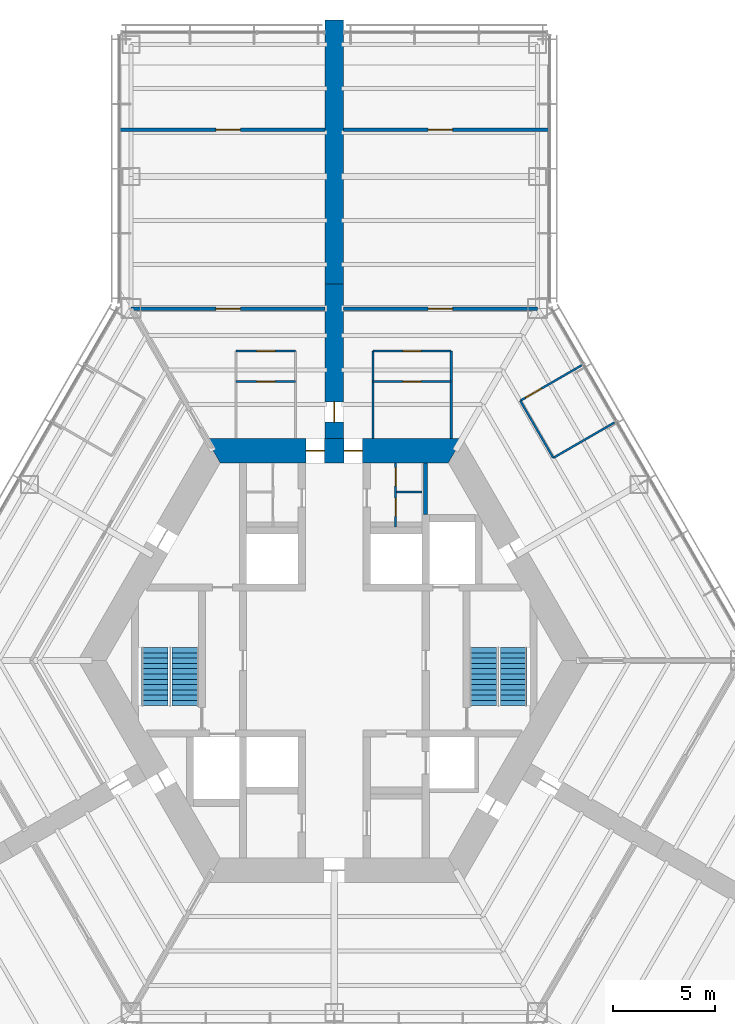
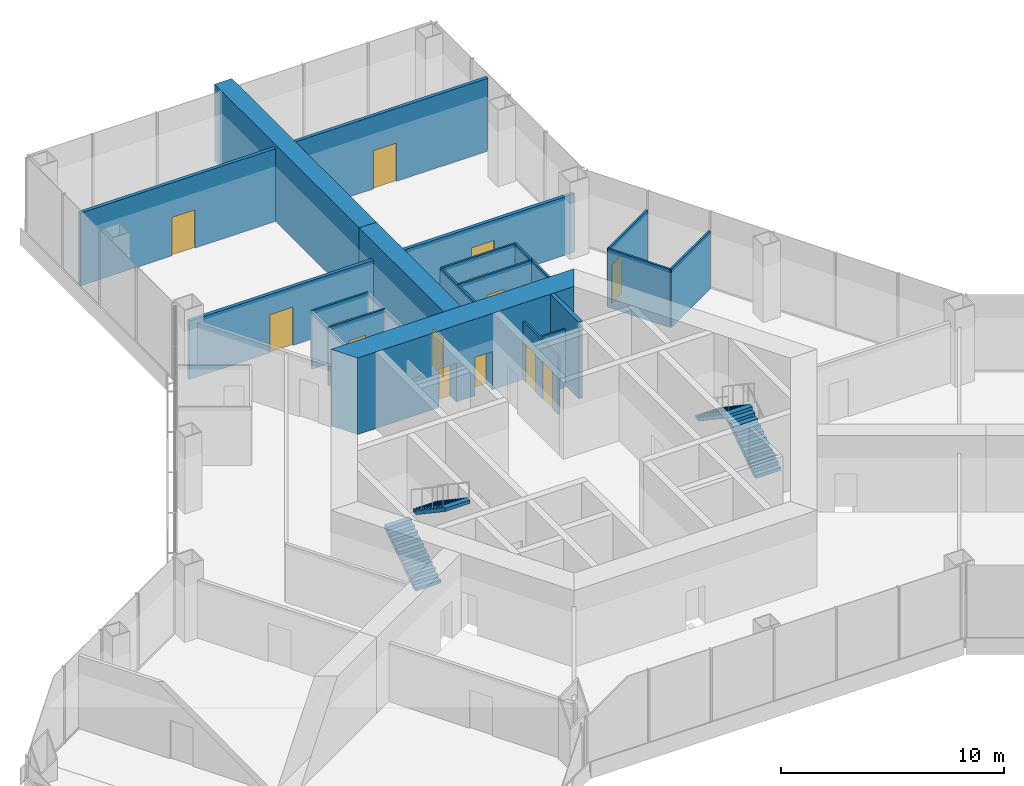
# One storey, part 13 of 16: 19 walls, 14 doors, 4 stair flights, 14 openings, 2 elements without a shape of their own.
"""IFC4 building model written with IfcOpenShell, lengths in metres."""

from ifc_helpers import new_model, si_unit, direction, frame, frame_2d, origin, place, context, subcontext, project, spatial, polyline, rectangle, outline, extrude, material, layer, layer_set, type_object, element, fill, aggregate, save


model = new_model("IFC4")

# Units and contexts
model_context = context("Model", 3, precision=1e-05, world=origin(), true_north=direction((0.0, 1.0)))
body_context = subcontext(model_context, "Body", "Model", "MODEL_VIEW")
ifc_project = project(units=[si_unit("LENGTHUNIT", "METRE"), si_unit("AREAUNIT", "SQUARE_METRE"), si_unit("VOLUMEUNIT", "CUBIC_METRE"), si_unit("PLANEANGLEUNIT", "RADIAN"), si_unit("MASSUNIT", "GRAM", prefix="KILO")], contexts=[model_context])

# Site, building, storey
site_placement = place(None, origin())
site = spatial("IfcSite", under=ifc_project, at=site_placement, CompositionType="ELEMENT")
building_placement = place(site_placement, origin())
building = spatial("IfcBuilding", under=site, at=building_placement, Name="Kasaneha Research Tower", CompositionType="ELEMENT")
storey_placement = place(building_placement, frame((0.0, 0.0, 10.0)))
storey = spatial("IfcBuildingStorey", under=building, at=storey_placement, Name="L03", CompositionType="ELEMENT", Elevation=10.0)

# Wall, openings, doors
ifc_material_1 = material(Name="Concrete Fc100", Category="concrete")
ifc_layer_1 = layer(ifc_material_1, 1.199951171875)
ifc_layer_set_1 = layer_set([ifc_layer_1], Name="Core wall 1200 Fc100")
wall_type_1 = type_object("IfcWallType", Name="Core wall 1200 Fc100", PredefinedType="SHEAR", material=ifc_layer_set_1)
wall_1_placement = place(storey_placement, frame((5.961181640625, 10.324951171875, 0.0), z_axis=(0.0, 0.0, 1.0), x_axis=(-1.0, 0.0, 0.0)))
wall_1 = element("IfcWall", 1, at=wall_1_placement, inside=storey, type_object=wall_type_1, Name="Core wall 090 L03", PredefinedType="SHEAR", context=body_context, shape_type="SweptSolid", body=[
    extrude(outline(polyline([(-0.346435546875, -0.60009765625), (4.57373046875, -0.60009765625), (5.4736328125, -0.60009765625), (6.44873046875, -0.60009765625), (7.3486328125, -0.60009765625), (12.268798828125, -0.60009765625), (11.575927734375, 0.60009765625), (7.3486328125, 0.60009765625), (6.44873046875, 0.60009765625), (5.4736328125, 0.60009765625), (4.57373046875, 0.60009765625), (0.346435546875, 0.60009765625), (-0.346435546875, -0.60009765625)])), origin(), (0.0, 0.0, 1.0), 4.199951171875),
])
opening_1_placement = place(wall_1_placement, frame((6.44873046875, 0.0, 0.0)))
opening_1 = element("IfcOpeningElement", 2, at=opening_1_placement, cuts=wall_1, Name="Opening L03-D01", PredefinedType="OPENING", context=body_context, shape_type="SweptSolid", body=[
    extrude(rectangle(XDim=0.89990234375, YDim=2.10009765625, at=frame_2d((0.449951171875, 1.050048828125))), frame((0.0, 0.60986328125, 0.0), z_axis=(0.0, -1.0, 0.0), x_axis=(1.0, 0.0, 0.0)), (0.0, 0.0, 1.0), 1.219970703125),
])
opening_2_placement = place(wall_1_placement, frame((4.57373046875, 0.0, 0.0)))
opening_2 = element("IfcOpeningElement", 3, at=opening_2_placement, cuts=wall_1, Name="Opening L03-D02", PredefinedType="OPENING", context=body_context, shape_type="SweptSolid", body=[
    extrude(rectangle(XDim=0.89990234375, YDim=2.10009765625, at=frame_2d((0.449951171875, 1.050048828125))), frame((0.0, 0.60986328125, 0.0), z_axis=(0.0, -1.0, 0.0), x_axis=(1.0, 0.0, 0.0)), (0.0, 0.0, 1.0), 1.219970703125),
])
ifc_material_2 = material(Name="Steel", Category="steel")
door_type_1 = type_object("IfcDoorType", Name="Toilet door FD20 900x2100", OperationType="NOTDEFINED", PredefinedType="DOOR", material=ifc_material_2)
door_1_placement = place(opening_1_placement, origin())
door_1 = element("IfcDoor", 4, at=door_1_placement, inside=storey, type_object=door_type_1, Name="Core door north 1 L03-D01", OperationType="SINGLE_SWING_RIGHT", OverallHeight=2.10009765625, OverallWidth=0.89990234375, PredefinedType="DOOR", context=body_context, shape_type="SweptSolid", body=[
    extrude(rectangle(XDim=0.89990234375, YDim=2.10009765625, at=frame_2d((0.449951171875, 1.050048828125))), frame((0.0, 0.02490234375, 0.0), z_axis=(0.0, -1.0, 0.0), x_axis=(1.0, 0.0, 0.0)), (0.0, 0.0, 1.0), 0.050048828125),
])
fill(opening_1, door_1)
door_2_placement = place(opening_2_placement, origin())
door_2 = element("IfcDoor", 5, at=door_2_placement, inside=storey, type_object=door_type_1, Name="Core door north 2 L03-D02", OperationType="SINGLE_SWING_LEFT", OverallHeight=2.10009765625, OverallWidth=0.89990234375, PredefinedType="DOOR", context=body_context, shape_type="SweptSolid", body=[
    extrude(rectangle(XDim=0.89990234375, YDim=2.10009765625, at=frame_2d((0.449951171875, 1.050048828125))), frame((0.0, 0.02490234375, 0.0), z_axis=(0.0, -1.0, 0.0), x_axis=(1.0, 0.0, 0.0)), (0.0, 0.0, 1.0), 0.050048828125),
])
fill(opening_2, door_2)

# Wall, opening, door
ifc_material_3 = material(Name="Gypsum board on steel studs, two layers each side", Category="steel")
ifc_layer_2 = layer(ifc_material_3, 0.175048828125)
ifc_layer_set_2 = layer_set([ifc_layer_2], Name="Laboratory fire partition 175")
wall_type_2 = type_object("IfcWallType", Name="Laboratory fire partition 175", PredefinedType="PARTITIONING", material=ifc_layer_set_2)
wall_2_placement = place(storey_placement, frame((0.449951171875, 17.320556640625, 0.0), z_axis=(0.0, 0.0, 1.0), x_axis=(1.0, 0.0, 0.0)))
wall_2 = element("IfcWall", 6, at=wall_2_placement, inside=storey, type_object=wall_type_2, Name="Laboratory fire partition LABA-E L03", PredefinedType="PARTITIONING", context=body_context, shape_type="SweptSolid", body=[
    extrude(rectangle(XDim=9.550048828125, YDim=0.175048828125, at=frame_2d((4.77490234375, 0.0))), origin(), (0.0, 0.0, 1.0), 3.2080078125),
])
opening_3_placement = place(wall_2_placement, frame((4.175048828125, 0.0, 0.0)))
opening_3 = element("IfcOpeningElement", 7, at=opening_3_placement, cuts=wall_2, Name="Opening L03-D29", PredefinedType="OPENING", context=body_context, shape_type="SweptSolid", body=[
    extrude(rectangle(XDim=1.199951171875, YDim=2.10009765625, at=frame_2d((0.60009765625, 1.050048828125))), frame((0.0, 0.09765625, 0.0), z_axis=(0.0, -1.0, 0.0), x_axis=(1.0, 0.0, 0.0)), (0.0, 0.0, 1.0), 0.195068359375),
])
ifc_material_4 = material(Name="Steel", Category="steel")
door_type_2 = type_object("IfcDoorType", Name="Laboratory door FD60 1200x2100", OperationType="DOUBLE_DOOR_SINGLE_SWING", PredefinedType="DOOR", material=ifc_material_4)
door_3_placement = place(opening_3_placement, origin())
door_3 = element("IfcDoor", 8, at=door_3_placement, inside=storey, type_object=door_type_2, Name="Laboratory door L03-D29", OperationType="DOUBLE_DOOR_SINGLE_SWING", OverallHeight=2.10009765625, OverallWidth=1.199951171875, PredefinedType="DOOR", context=body_context, shape_type="SweptSolid", body=[
    extrude(rectangle(XDim=1.199951171875, YDim=2.10009765625, at=frame_2d((0.60009765625, 1.050048828125))), frame((0.0, 0.02490234375, 0.0), z_axis=(0.0, -1.0, 0.0), x_axis=(1.0, 0.0, 0.0)), (0.0, 0.0, 1.0), 0.050048828125),
])
fill(opening_3, door_3)

wall_3_placement = place(storey_placement, frame((0.449951171875, 26.12060546875, 0.0), z_axis=(0.0, 0.0, 1.0), x_axis=(1.0, 0.0, 0.0)))
wall_3 = element("IfcWall", 9, at=wall_3_placement, inside=storey, type_object=wall_type_2, Name="Laboratory fire partition SUPA-E L03", PredefinedType="PARTITIONING", context=body_context, shape_type="SweptSolid", body=[
    extrude(rectangle(XDim=10.135009765625, YDim=0.175048828125, at=frame_2d((5.0673828125, 0.0))), origin(), (0.0, 0.0, 1.0), 4.0),
])
opening_4_placement = place(wall_3_placement, frame((4.175048828125, 0.0, 0.0)))
opening_4 = element("IfcOpeningElement", 10, at=opening_4_placement, cuts=wall_3, Name="Opening L03-D31", PredefinedType="OPENING", context=body_context, shape_type="SweptSolid", body=[
    extrude(rectangle(XDim=1.199951171875, YDim=2.10009765625, at=frame_2d((0.60009765625, 1.050048828125))), frame((0.0, 0.09765625, 0.0), z_axis=(0.0, -1.0, 0.0), x_axis=(1.0, 0.0, 0.0)), (0.0, 0.0, 1.0), 0.195068359375),
])
door_4_placement = place(opening_4_placement, origin())
door_4 = element("IfcDoor", 11, at=door_4_placement, inside=storey, type_object=door_type_2, Name="Laboratory support room door L03-D31", OperationType="DOUBLE_DOOR_SINGLE_SWING", OverallHeight=2.10009765625, OverallWidth=1.199951171875, PredefinedType="DOOR", context=body_context, shape_type="SweptSolid", body=[
    extrude(rectangle(XDim=1.199951171875, YDim=2.10009765625, at=frame_2d((0.60009765625, 1.050048828125))), frame((0.0, 0.02490234375, 0.0), z_axis=(0.0, -1.0, 0.0), x_axis=(1.0, 0.0, 0.0)), (0.0, 0.0, 1.0), 0.050048828125),
])
fill(opening_4, door_4)

wall_4_placement = place(storey_placement, frame((-0.449951171875, 17.320556640625, 0.0), z_axis=(0.0, 0.0, 1.0), x_axis=(-1.0, 0.0, 0.0)))
wall_4 = element("IfcWall", 12, at=wall_4_placement, inside=storey, type_object=wall_type_2, Name="Laboratory fire partition LABA-W L03", PredefinedType="PARTITIONING", context=body_context, shape_type="SweptSolid", body=[
    extrude(rectangle(XDim=9.550048828125, YDim=0.175048828125, at=frame_2d((4.77490234375, 0.0))), origin(), (0.0, 0.0, 1.0), 3.2080078125),
])
opening_5_placement = place(wall_4_placement, frame((4.175048828125, 0.0, 0.0)))
opening_5 = element("IfcOpeningElement", 13, at=opening_5_placement, cuts=wall_4, Name="Opening L03-D34", PredefinedType="OPENING", context=body_context, shape_type="SweptSolid", body=[
    extrude(rectangle(XDim=1.199951171875, YDim=2.10009765625, at=frame_2d((0.60009765625, 1.050048828125))), frame((0.0, 0.09765625, 0.0), z_axis=(0.0, -1.0, 0.0), x_axis=(1.0, 0.0, 0.0)), (0.0, 0.0, 1.0), 0.195068359375),
])
door_5_placement = place(opening_5_placement, origin())
door_5 = element("IfcDoor", 14, at=door_5_placement, inside=storey, type_object=door_type_2, Name="Laboratory door L03-D34", OperationType="DOUBLE_DOOR_SINGLE_SWING", OverallHeight=2.10009765625, OverallWidth=1.199951171875, PredefinedType="DOOR", context=body_context, shape_type="SweptSolid", body=[
    extrude(rectangle(XDim=1.199951171875, YDim=2.10009765625, at=frame_2d((0.60009765625, 1.050048828125))), frame((0.0, 0.02490234375, 0.0), z_axis=(0.0, -1.0, 0.0), x_axis=(1.0, 0.0, 0.0)), (0.0, 0.0, 1.0), 0.050048828125),
])
fill(opening_5, door_5)

wall_5_placement = place(storey_placement, frame((-0.449951171875, 26.12060546875, 0.0), z_axis=(0.0, 0.0, 1.0), x_axis=(-1.0, 0.0, 0.0)))
wall_5 = element("IfcWall", 15, at=wall_5_placement, inside=storey, type_object=wall_type_2, Name="Laboratory fire partition SUPA-W L03", PredefinedType="PARTITIONING", context=body_context, shape_type="SweptSolid", body=[
    extrude(rectangle(XDim=10.135009765625, YDim=0.175048828125, at=frame_2d((5.0673828125, 0.0))), origin(), (0.0, 0.0, 1.0), 4.0),
])
opening_6_placement = place(wall_5_placement, frame((4.175048828125, 0.0, 0.0)))
opening_6 = element("IfcOpeningElement", 16, at=opening_6_placement, cuts=wall_5, Name="Opening L03-D35", PredefinedType="OPENING", context=body_context, shape_type="SweptSolid", body=[
    extrude(rectangle(XDim=1.199951171875, YDim=2.10009765625, at=frame_2d((0.60009765625, 1.050048828125))), frame((0.0, 0.09765625, 0.0), z_axis=(0.0, -1.0, 0.0), x_axis=(1.0, 0.0, 0.0)), (0.0, 0.0, 1.0), 0.195068359375),
])
door_6_placement = place(opening_6_placement, origin())
door_6 = element("IfcDoor", 17, at=door_6_placement, inside=storey, type_object=door_type_2, Name="Laboratory support room door L03-D35", OperationType="DOUBLE_DOOR_SINGLE_SWING", OverallHeight=2.10009765625, OverallWidth=1.199951171875, PredefinedType="DOOR", context=body_context, shape_type="SweptSolid", body=[
    extrude(rectangle(XDim=1.199951171875, YDim=2.10009765625, at=frame_2d((0.60009765625, 1.050048828125))), frame((0.0, 0.02490234375, 0.0), z_axis=(0.0, -1.0, 0.0), x_axis=(1.0, 0.0, 0.0)), (0.0, 0.0, 1.0), 0.050048828125),
])
fill(opening_6, door_6)

# Wall, openings, doors
ifc_material_5 = material(Name="Gypsum board on steel studs, one layer each side", Category="steel")
ifc_layer_3 = layer(ifc_material_5, 0.10009765625)
ifc_layer_set_3 = layer_set([ifc_layer_3], Name="Office partition 100")
wall_type_3 = type_object("IfcWallType", Name="Office partition 100", PredefinedType="PARTITIONING", material=ifc_layer_set_3)
wall_6_placement = place(storey_placement, frame((3.02490234375, 6.574951171875, 0.0), z_axis=(0.0, 0.0, 1.0), x_axis=(0.0, 1.0, 0.0)))
wall_6 = element("IfcWall", 18, at=wall_6_placement, inside=storey, type_object=wall_type_3, Name="Office partition TBF1 L03", PredefinedType="PARTITIONING", context=body_context, shape_type="SweptSolid", body=[
    extrude(rectangle(XDim=3.150146484375, YDim=0.10009765625, at=frame_2d((1.5751953125, 0.0))), origin(), (0.0, 0.0, 1.0), 3.199951171875),
])
opening_7_placement = place(wall_6_placement, frame((0.512451171875, 0.0, 0.0)))
opening_7 = element("IfcOpeningElement", 19, at=opening_7_placement, cuts=wall_6, Name="Opening L03-D22", PredefinedType="OPENING", context=body_context, shape_type="SweptSolid", body=[
    extrude(rectangle(XDim=0.89990234375, YDim=2.10009765625, at=frame_2d((0.449951171875, 1.050048828125))), frame((0.0, 0.06005859375, 0.0), z_axis=(0.0, -1.0, 0.0), x_axis=(1.0, 0.0, 0.0)), (0.0, 0.0, 1.0), 0.1201171875),
])
opening_8_placement = place(wall_6_placement, frame((2.012451171875, 0.0, 0.0)))
opening_8 = element("IfcOpeningElement", 20, at=opening_8_placement, cuts=wall_6, Name="Opening L03-D23", PredefinedType="OPENING", context=body_context, shape_type="SweptSolid", body=[
    extrude(rectangle(XDim=0.89990234375, YDim=2.10009765625, at=frame_2d((0.449951171875, 1.050048828125))), frame((0.0, 0.06005859375, 0.0), z_axis=(0.0, -1.0, 0.0), x_axis=(1.0, 0.0, 0.0)), (0.0, 0.0, 1.0), 0.1201171875),
])
ifc_material_6 = material(Name="Steel", Category="steel")
door_type_3 = type_object("IfcDoorType", Name="Toilet lobby door FD30 900x2100", OperationType="NOTDEFINED", PredefinedType="DOOR", material=ifc_material_6)
door_7_placement = place(opening_7_placement, origin())
door_7 = element("IfcDoor", 21, at=door_7_placement, inside=storey, type_object=door_type_3, Name="Women's WC door L03-D22", OperationType="SINGLE_SWING_RIGHT", OverallHeight=2.10009765625, OverallWidth=0.89990234375, PredefinedType="DOOR", context=body_context, shape_type="SweptSolid", body=[
    extrude(rectangle(XDim=0.89990234375, YDim=2.10009765625, at=frame_2d((0.449951171875, 1.050048828125))), frame((0.0, 0.02490234375, 0.0), z_axis=(0.0, -1.0, 0.0), x_axis=(1.0, 0.0, 0.0)), (0.0, 0.0, 1.0), 0.050048828125),
])
fill(opening_7, door_7)
door_8_placement = place(opening_8_placement, origin())
door_8 = element("IfcDoor", 22, at=door_8_placement, inside=storey, type_object=door_type_3, Name="Staff WC door L03-D23", OperationType="SINGLE_SWING_RIGHT", OverallHeight=2.10009765625, OverallWidth=0.89990234375, PredefinedType="DOOR", context=body_context, shape_type="SweptSolid", body=[
    extrude(rectangle(XDim=0.89990234375, YDim=2.10009765625, at=frame_2d((0.449951171875, 1.050048828125))), frame((0.0, 0.02490234375, 0.0), z_axis=(0.0, -1.0, 0.0), x_axis=(1.0, 0.0, 0.0)), (0.0, 0.0, 1.0), 0.050048828125),
])
fill(opening_8, door_8)

# Wall
wall_7_placement = place(storey_placement, frame((3.074951171875, 8.300048828125, 0.0), z_axis=(0.0, 0.0, 1.0), x_axis=(1.0, 0.0, 0.0)))
element("IfcWall", 23, at=wall_7_placement, inside=storey, type_object=wall_type_3, Name="Office partition TBF2 L03", PredefinedType="PARTITIONING", context=body_context, shape_type="SweptSolid", body=[
    extrude(rectangle(XDim=1.25, YDim=0.10009765625, at=frame_2d((0.625, 0.0))), origin(), (0.0, 0.0, 1.0), 3.199951171875),
])

# Wall, opening, door
wall_8_placement = place(storey_placement, frame((1.89990234375, 13.72509765625, 0.0), z_axis=(0.0, 0.0, 1.0), x_axis=(1.0, 0.0, 0.0)))
wall_8 = element("IfcWall", 24, at=wall_8_placement, inside=storey, type_object=wall_type_3, Name="Office partition WCAE1 L03", PredefinedType="PARTITIONING", context=body_context, shape_type="SweptSolid", body=[
    extrude(rectangle(XDim=3.857177734375, YDim=0.10009765625, at=frame_2d((1.9287109375, 0.0))), origin(), (0.0, 0.0, 1.0), 3.199951171875),
])
opening_9_placement = place(wall_8_placement, frame((1.478515625, 0.0, 0.0)))
opening_9 = element("IfcOpeningElement", 25, at=opening_9_placement, cuts=wall_8, Name="Opening L03-D27", PredefinedType="OPENING", context=body_context, shape_type="SweptSolid", body=[
    extrude(rectangle(XDim=0.89990234375, YDim=2.10009765625, at=frame_2d((0.449951171875, 1.050048828125))), frame((0.0, 0.06005859375, 0.0), z_axis=(0.0, -1.0, 0.0), x_axis=(1.0, 0.0, 0.0)), (0.0, 0.0, 1.0), 0.1201171875),
])
door_9_placement = place(opening_9_placement, origin())
door_9 = element("IfcDoor", 26, at=door_9_placement, inside=storey, type_object=door_type_3, Name="Women's WC door L03-D27", OperationType="SINGLE_SWING_RIGHT", OverallHeight=2.10009765625, OverallWidth=0.89990234375, PredefinedType="DOOR", context=body_context, shape_type="SweptSolid", body=[
    extrude(rectangle(XDim=0.89990234375, YDim=2.10009765625, at=frame_2d((0.449951171875, 1.050048828125))), frame((0.0, 0.02490234375, 0.0), z_axis=(0.0, -1.0, 0.0), x_axis=(1.0, 0.0, 0.0)), (0.0, 0.0, 1.0), 0.050048828125),
])
fill(opening_9, door_9)

wall_9_placement = place(storey_placement, frame((1.89990234375, 15.22509765625, 0.0), z_axis=(0.0, 0.0, 1.0), x_axis=(1.0, 0.0, 0.0)))
wall_9 = element("IfcWall", 27, at=wall_9_placement, inside=storey, type_object=wall_type_3, Name="Office partition WCAE4 L03", PredefinedType="PARTITIONING", context=body_context, shape_type="SweptSolid", body=[
    extrude(rectangle(XDim=3.857177734375, YDim=0.10009765625, at=frame_2d((1.9287109375, 0.0))), origin(), (0.0, 0.0, 1.0), 3.199951171875),
])
opening_10_placement = place(wall_9_placement, frame((1.478515625, 0.0, 0.0)))
opening_10 = element("IfcOpeningElement", 28, at=opening_10_placement, cuts=wall_9, Name="Opening L03-D28", PredefinedType="OPENING", context=body_context, shape_type="SweptSolid", body=[
    extrude(rectangle(XDim=0.89990234375, YDim=2.10009765625, at=frame_2d((0.449951171875, 1.050048828125))), frame((0.0, 0.06005859375, 0.0), z_axis=(0.0, -1.0, 0.0), x_axis=(1.0, 0.0, 0.0)), (0.0, 0.0, 1.0), 0.1201171875),
])
door_10_placement = place(opening_10_placement, origin())
door_10 = element("IfcDoor", 29, at=door_10_placement, inside=storey, type_object=door_type_3, Name="Toilet lobby door L03-D28", OperationType="SINGLE_SWING_RIGHT", OverallHeight=2.10009765625, OverallWidth=0.89990234375, PredefinedType="DOOR", context=body_context, shape_type="SweptSolid", body=[
    extrude(rectangle(XDim=0.89990234375, YDim=2.10009765625, at=frame_2d((0.449951171875, 1.050048828125))), frame((0.0, 0.02490234375, 0.0), z_axis=(0.0, -1.0, 0.0), x_axis=(1.0, 0.0, 0.0)), (0.0, 0.0, 1.0), 0.050048828125),
])
fill(opening_10, door_10)

# Walls
for number, where, z_axis, x_axis, name in (
    (30, (1.89990234375, 10.925048828125, 0.0), (0.0, 0.0, 1.0), (0.0, 1.0, 0.0), "Office partition WCAE2 L03"),
    (31, (5.757080078125, 10.925048828125, 0.0), (0.0, 0.0, 1.0), (0.0, 1.0, 0.0), "Office partition WCAE3 L03"),
):
    element("IfcWall", number, at=place(storey_placement, frame(where, z_axis=z_axis, x_axis=x_axis)), inside=storey, type_object=wall_type_3, Name=name, PredefinedType="PARTITIONING", context=body_context, shape_type="SweptSolid", body=[
        extrude(rectangle(XDim=4.300048828125, YDim=0.10009765625, at=frame_2d((2.14990234375, 0.0))), origin(), (0.0, 0.0, 1.0), 3.199951171875),
    ])

# Wall, opening, door
wall_10_placement = place(storey_placement, frame((9.155517578125, 12.783203125, 0.0), z_axis=(0.0, 0.0, 1.0), x_axis=(0.866013176292, 0.50002117804, 0.0)))
wall_10 = element("IfcWall", 32, at=wall_10_placement, inside=storey, type_object=wall_type_3, Name="Office partition FAE01 L03", PredefinedType="PARTITIONING", context=body_context, shape_type="SweptSolid", body=[
    extrude(rectangle(XDim=3.489990234375, YDim=0.10009765625, at=frame_2d((1.7451171875, 0.0))), origin(), (0.0, 0.0, 1.0), 3.199951171875),
])
opening_11_placement = place(wall_10_placement, frame((0.300048828125, 0.0, 0.0)))
opening_11 = element("IfcOpeningElement", 33, at=opening_11_placement, cuts=wall_10, Name="Opening L03-D30", PredefinedType="OPENING", context=body_context, shape_type="SweptSolid", body=[
    extrude(rectangle(XDim=0.89990234375, YDim=2.10009765625, at=frame_2d((0.449951171875, 1.050048828125))), frame((0.0, 0.06005859375, 0.0), z_axis=(0.0, -1.0, 0.0), x_axis=(1.0, 0.0, 0.0)), (0.0, 0.0, 1.0), 0.1201171875),
])
ifc_material_7 = material(Name="Timber veneer", Category="wood")
door_type_4 = type_object("IfcDoorType", Name="Office door 900x2100", OperationType="SINGLE_SWING_LEFT", PredefinedType="DOOR", material=ifc_material_7)
door_11_placement = place(opening_11_placement, origin())
door_11 = element("IfcDoor", 34, at=door_11_placement, inside=storey, type_object=door_type_4, Name="Specimen preparation room door L03-D30", OperationType="SINGLE_SWING_LEFT", OverallHeight=2.10009765625, OverallWidth=0.89990234375, PredefinedType="DOOR", context=body_context, shape_type="SweptSolid", body=[
    extrude(rectangle(XDim=0.89990234375, YDim=2.10009765625, at=frame_2d((0.449951171875, 1.050048828125))), frame((0.0, 0.02490234375, 0.0), z_axis=(0.0, -1.0, 0.0), x_axis=(1.0, 0.0, 0.0)), (0.0, 0.0, 1.0), 0.050048828125),
])
fill(opening_11, door_11)

# Walls
wall_11_placement = place(storey_placement, frame((10.77880859375, 9.9716796875, 0.0), z_axis=(0.0, 0.0, 1.0), x_axis=(-0.500013214685, 0.866017774148, 0.0)))
element("IfcWall", 35, at=wall_11_placement, inside=storey, type_object=wall_type_3, Name="Office partition FAE02 L03", PredefinedType="PARTITIONING", context=body_context, shape_type="SweptSolid", body=[
    extrude(rectangle(XDim=3.24658203125, YDim=0.10009765625, at=frame_2d((1.623291015625, 0.0))), origin(), (0.0, 0.0, 1.0), 3.199951171875),
])
wall_12_placement = place(storey_placement, frame((13.79248046875, 11.711669921875, 0.0), z_axis=(0.0, 0.0, 1.0), x_axis=(-0.86601968407, -0.500009906705, 0.0)))
element("IfcWall", 36, at=wall_12_placement, inside=storey, type_object=wall_type_3, Name="Office partition FAE03 L03", PredefinedType="PARTITIONING", context=body_context, shape_type="SweptSolid", body=[
    extrude(rectangle(XDim=3.47998046875, YDim=0.10009765625, at=frame_2d((1.739990234375, 0.0))), origin(), (0.0, 0.0, 1.0), 3.199951171875),
])

# Wall, opening, door
wall_13_placement = place(storey_placement, frame((-4.82861328125, 13.72509765625, 0.0), z_axis=(0.0, 0.0, 1.0), x_axis=(1.0, 0.0, 0.0)))
wall_13 = element("IfcWall", 37, at=wall_13_placement, inside=storey, type_object=wall_type_3, Name="Office partition WCAW1 L03", PredefinedType="PARTITIONING", context=body_context, shape_type="SweptSolid", body=[
    extrude(rectangle(XDim=2.9287109375, YDim=0.10009765625, at=frame_2d((1.46435546875, 0.0))), origin(), (0.0, 0.0, 1.0), 3.199951171875),
])
opening_12_placement = place(wall_13_placement, frame((1.01416015625, 0.0, 0.0)))
opening_12 = element("IfcOpeningElement", 38, at=opening_12_placement, cuts=wall_13, Name="Opening L03-D32", PredefinedType="OPENING", context=body_context, shape_type="SweptSolid", body=[
    extrude(rectangle(XDim=0.89990234375, YDim=2.10009765625, at=frame_2d((0.449951171875, 1.050048828125))), frame((0.0, 0.06005859375, 0.0), z_axis=(0.0, -1.0, 0.0), x_axis=(1.0, 0.0, 0.0)), (0.0, 0.0, 1.0), 0.1201171875),
])
door_12_placement = place(opening_12_placement, origin())
door_12 = element("IfcDoor", 39, at=door_12_placement, inside=storey, type_object=door_type_3, Name="Men's WC door L03-D32", OperationType="SINGLE_SWING_LEFT", OverallHeight=2.10009765625, OverallWidth=0.89990234375, PredefinedType="DOOR", context=body_context, shape_type="SweptSolid", body=[
    extrude(rectangle(XDim=0.89990234375, YDim=2.10009765625, at=frame_2d((0.449951171875, 1.050048828125))), frame((0.0, 0.02490234375, 0.0), z_axis=(0.0, -1.0, 0.0), x_axis=(1.0, 0.0, 0.0)), (0.0, 0.0, 1.0), 0.050048828125),
])
fill(opening_12, door_12)

wall_14_placement = place(storey_placement, frame((-4.82861328125, 15.22509765625, 0.0), z_axis=(0.0, 0.0, 1.0), x_axis=(1.0, 0.0, 0.0)))
wall_14 = element("IfcWall", 40, at=wall_14_placement, inside=storey, type_object=wall_type_3, Name="Office partition WCAW4 L03", PredefinedType="PARTITIONING", context=body_context, shape_type="SweptSolid", body=[
    extrude(rectangle(XDim=2.9287109375, YDim=0.10009765625, at=frame_2d((1.46435546875, 0.0))), origin(), (0.0, 0.0, 1.0), 3.199951171875),
])
opening_13_placement = place(wall_14_placement, frame((1.01416015625, 0.0, 0.0)))
opening_13 = element("IfcOpeningElement", 41, at=opening_13_placement, cuts=wall_14, Name="Opening L03-D33", PredefinedType="OPENING", context=body_context, shape_type="SweptSolid", body=[
    extrude(rectangle(XDim=0.89990234375, YDim=2.10009765625, at=frame_2d((0.449951171875, 1.050048828125))), frame((0.0, 0.06005859375, 0.0), z_axis=(0.0, -1.0, 0.0), x_axis=(1.0, 0.0, 0.0)), (0.0, 0.0, 1.0), 0.1201171875),
])
door_13_placement = place(opening_13_placement, origin())
door_13 = element("IfcDoor", 42, at=door_13_placement, inside=storey, type_object=door_type_3, Name="Toilet lobby door L03-D33", OperationType="SINGLE_SWING_LEFT", OverallHeight=2.10009765625, OverallWidth=0.89990234375, PredefinedType="DOOR", context=body_context, shape_type="SweptSolid", body=[
    extrude(rectangle(XDim=0.89990234375, YDim=2.10009765625, at=frame_2d((0.449951171875, 1.050048828125))), frame((0.0, 0.02490234375, 0.0), z_axis=(0.0, -1.0, 0.0), x_axis=(1.0, 0.0, 0.0)), (0.0, 0.0, 1.0), 0.050048828125),
])
fill(opening_13, door_13)

# Wall
ifc_material_8 = material(Name="Concrete block", Category="concrete")
ifc_layer_4 = layer(ifc_material_8, 0.199951171875)
ifc_layer_set_4 = layer_set([ifc_layer_4], Name="Riser enclosure wall 200")
wall_type_4 = type_object("IfcWallType", Name="Riser enclosure wall 200", PredefinedType="STANDARD", material=ifc_layer_set_4)
wall_15_placement = place(storey_placement, frame((4.5, 7.175048828125, 0.0), z_axis=(0.0, 0.0, 1.0), x_axis=(0.0, 1.0, 0.0)))
element("IfcWall", 43, at=wall_15_placement, inside=storey, type_object=wall_type_4, Name="Riser enclosure wall L03", PredefinedType="STANDARD", context=body_context, shape_type="SweptSolid", body=[
    extrude(rectangle(XDim=2.550048828125, YDim=0.199951171875, at=frame_2d((1.27490234375, 0.0))), origin(), (0.0, 0.0, 1.0), 4.199951171875),
])

# Wall, opening, door
ifc_material_9 = material(Name="Concrete Fc100", Category="concrete")
ifc_layer_5 = layer(ifc_material_9, 0.89990234375)
ifc_layer_set_5 = layer_set([ifc_layer_5], Name="Spine wall 900 Fc100")
wall_type_5 = type_object("IfcWallType", Name="Spine wall 900 Fc100", PredefinedType="SHEAR", material=ifc_layer_set_5)
wall_16_placement = place(storey_placement, frame((0.0, 10.925048828125, 0.0), z_axis=(0.0, 0.0, 1.0), x_axis=(0.0, 1.0, 0.0)))
wall_16 = element("IfcWall", 44, at=wall_16_placement, inside=storey, type_object=wall_type_5, Name="Spine wall A L03", PredefinedType="SHEAR", context=body_context, shape_type="SweptSolid", body=[
    extrude(rectangle(XDim=7.595458984375, YDim=0.89990234375, at=frame_2d((3.7978515625, 0.0))), origin(), (0.0, 0.0, 1.0), 4.199951171875),
])
opening_14_placement = place(wall_16_placement, frame((0.800048828125, 0.0, 0.0)))
opening_14 = element("IfcOpeningElement", 45, at=opening_14_placement, cuts=wall_16, Name="Opening L03-D17", PredefinedType="OPENING", context=body_context, shape_type="SweptSolid", body=[
    extrude(rectangle(XDim=1.0, YDim=2.10009765625, at=frame_2d((0.5, 1.050048828125))), frame((0.0, 0.4599609375, 0.0), z_axis=(0.0, -1.0, 0.0), x_axis=(1.0, 0.0, 0.0)), (0.0, 0.0, 1.0), 0.919921875),
])
ifc_material_10 = material(Name="Steel", Category="steel")
door_type_5 = type_object("IfcDoorType", Name="Specified fire door FD60 1000x2100", OperationType="NOTDEFINED", PredefinedType="DOOR", material=ifc_material_10)
door_14_placement = place(opening_14_placement, origin())
door_14 = element("IfcDoor", 46, at=door_14_placement, inside=storey, type_object=door_type_5, Name="Spine doorway A L03-D17", OperationType="SINGLE_SWING_LEFT", OverallHeight=2.10009765625, OverallWidth=1.0, PredefinedType="DOOR", context=body_context, shape_type="SweptSolid", body=[
    extrude(rectangle(XDim=1.0, YDim=2.10009765625, at=frame_2d((0.5, 1.050048828125))), frame((0.0, 0.02490234375, 0.0), z_axis=(0.0, -1.0, 0.0), x_axis=(1.0, 0.0, 0.0)), (0.0, 0.0, 1.0), 0.050048828125),
])
fill(opening_14, door_14)

# Wall
wall_17_placement = place(storey_placement, frame((0.0, 18.5205078125, 0.0), z_axis=(0.0, 0.0, 1.0), x_axis=(0.0, 1.0, 0.0)))
element("IfcWall", 47, at=wall_17_placement, inside=storey, type_object=wall_type_5, Name="Spine wall A wing L03", PredefinedType="SHEAR", context=body_context, shape_type="SweptSolid", body=[
    extrude(rectangle(XDim=13.0, YDim=0.89990234375, at=frame_2d((6.5, 0.0))), origin(), (0.0, 0.0, 1.0), 4.199951171875),
])

# Stair, stair flights
ifc_material_11 = material(Name="Concrete Fc24", Category="concrete")
stair_type = type_object("IfcStairType", Name="Half-turn stair 24 risers", PredefinedType="HALF_TURN_STAIR", material=ifc_material_11)
stair_1_placement = place(storey_placement, origin())
stair_1 = element("IfcStair", 48, at=stair_1_placement, inside=storey, type_object=stair_type, Name="Stair 1 L03", PredefinedType="HALF_TURN_STAIR")
ifc_material_12 = material(Name="Concrete Fc24", Category="concrete")
stair_flight_type = type_object("IfcStairFlightType", Name="Stair flight 12 risers 175.0", PredefinedType="STRAIGHT", material=ifc_material_12)
stair_flight_1_placement = place(storey_placement, frame((8.824951171875, -2.22509765625, 0.0), z_axis=(0.0, 0.0, 1.0), x_axis=(0.0, 1.0, 0.0)))
stair_flight_1 = element("IfcStairFlight", 49, at=stair_flight_1_placement, type_object=stair_flight_type, Name="ST1-24R flight 1", NumberOfRisers=12, NumberOfTreads=11, PredefinedType="STRAIGHT", RiserHeight=0.175, TreadLength=0.26, context=body_context, shape_type="SweptSolid", body=[
    extrude(outline(polyline([(0.0, 0.0), (0.0, 0.175048828125), (0.260009765625, 0.175048828125), (0.260009765625, 0.35009765625), (0.52001953125, 0.35009765625), (0.52001953125, 0.52490234375), (0.780029296875, 0.52490234375), (0.780029296875, 0.699951171875), (1.0400390625, 0.699951171875), (1.0400390625, 0.875), (1.300048828125, 0.875), (1.300048828125, 1.050048828125), (1.56005859375, 1.050048828125), (1.56005859375, 1.22509765625), (1.820068359375, 1.22509765625), (1.820068359375, 1.39990234375), (2.080078125, 1.39990234375), (2.080078125, 1.574951171875), (2.340087890625, 1.574951171875), (2.340087890625, 1.75), (2.60009765625, 1.75), (2.60009765625, 1.925048828125), (2.860107421875, 1.925048828125), (2.860107421875, 2.10009765625), (2.860107421875, 1.744384765625), (0.2685546875, 0.0), (0.0, 0.0)])), frame((0.0, 0.64990234375, 0.0), z_axis=(0.0, -1.0, 0.0), x_axis=(1.0, 0.0, 0.0)), (0.0, 0.0, 1.0), 1.300048828125),
])
stair_flight_2_placement = place(storey_placement, frame((7.324951171875, 0.635009765625, 2.10009765625), z_axis=(0.0, 0.0, 1.0), x_axis=(0.0, -1.0, 0.0)))
stair_flight_2 = element("IfcStairFlight", 50, at=stair_flight_2_placement, type_object=stair_flight_type, Name="ST1-24R flight 2", NumberOfRisers=12, NumberOfTreads=11, PredefinedType="STRAIGHT", RiserHeight=0.175, TreadLength=0.26, context=body_context, shape_type="SweptSolid", body=[
    extrude(outline(polyline([(0.0, 0.0), (0.0, 0.175048828125), (0.260009765625, 0.175048828125), (0.260009765625, 0.35009765625), (0.52001953125, 0.35009765625), (0.52001953125, 0.52490234375), (0.780029296875, 0.52490234375), (0.780029296875, 0.699951171875), (1.0400390625, 0.699951171875), (1.0400390625, 0.875), (1.300048828125, 0.875), (1.300048828125, 1.050048828125), (1.56005859375, 1.050048828125), (1.56005859375, 1.22509765625), (1.820068359375, 1.22509765625), (1.820068359375, 1.39990234375), (2.080078125, 1.39990234375), (2.080078125, 1.574951171875), (2.340087890625, 1.574951171875), (2.340087890625, 1.75), (2.60009765625, 1.75), (2.60009765625, 1.925048828125), (2.860107421875, 1.925048828125), (2.860107421875, 2.10009765625), (2.860107421875, 1.744384765625), (0.2685546875, 0.0), (0.0, 0.0)])), frame((0.0, 0.64990234375, 0.0), z_axis=(0.0, -1.0, 0.0), x_axis=(1.0, 0.0, 0.0)), (0.0, 0.0, 1.0), 1.300048828125),
])
aggregate(stair_1, [stair_flight_1, stair_flight_2])

stair_2_placement = place(storey_placement, origin())
stair_2 = element("IfcStair", 51, at=stair_2_placement, inside=storey, type_object=stair_type, Name="Stair 2 L03", PredefinedType="HALF_TURN_STAIR")
stair_flight_3_placement = place(storey_placement, frame((-8.824951171875, -2.22509765625, 0.0), z_axis=(0.0, 0.0, 1.0), x_axis=(0.0, 1.0, 0.0)))
stair_flight_3 = element("IfcStairFlight", 52, at=stair_flight_3_placement, type_object=stair_flight_type, Name="ST2-24R flight 1", NumberOfRisers=12, NumberOfTreads=11, PredefinedType="STRAIGHT", RiserHeight=0.175, TreadLength=0.26, context=body_context, shape_type="SweptSolid", body=[
    extrude(outline(polyline([(0.0, 0.0), (0.0, 0.175048828125), (0.260009765625, 0.175048828125), (0.260009765625, 0.35009765625), (0.52001953125, 0.35009765625), (0.52001953125, 0.52490234375), (0.780029296875, 0.52490234375), (0.780029296875, 0.699951171875), (1.0400390625, 0.699951171875), (1.0400390625, 0.875), (1.300048828125, 0.875), (1.300048828125, 1.050048828125), (1.56005859375, 1.050048828125), (1.56005859375, 1.22509765625), (1.820068359375, 1.22509765625), (1.820068359375, 1.39990234375), (2.080078125, 1.39990234375), (2.080078125, 1.574951171875), (2.340087890625, 1.574951171875), (2.340087890625, 1.75), (2.60009765625, 1.75), (2.60009765625, 1.925048828125), (2.860107421875, 1.925048828125), (2.860107421875, 2.10009765625), (2.860107421875, 1.744384765625), (0.2685546875, 0.0), (0.0, 0.0)])), frame((0.0, 0.64990234375, 0.0), z_axis=(0.0, -1.0, 0.0), x_axis=(1.0, 0.0, 0.0)), (0.0, 0.0, 1.0), 1.300048828125),
])
stair_flight_4_placement = place(storey_placement, frame((-7.324951171875, 0.635009765625, 2.10009765625), z_axis=(0.0, 0.0, 1.0), x_axis=(0.0, -1.0, 0.0)))
stair_flight_4 = element("IfcStairFlight", 53, at=stair_flight_4_placement, type_object=stair_flight_type, Name="ST2-24R flight 2", NumberOfRisers=12, NumberOfTreads=11, PredefinedType="STRAIGHT", RiserHeight=0.175, TreadLength=0.26, context=body_context, shape_type="SweptSolid", body=[
    extrude(outline(polyline([(0.0, 0.0), (0.0, 0.175048828125), (0.260009765625, 0.175048828125), (0.260009765625, 0.35009765625), (0.52001953125, 0.35009765625), (0.52001953125, 0.52490234375), (0.780029296875, 0.52490234375), (0.780029296875, 0.699951171875), (1.0400390625, 0.699951171875), (1.0400390625, 0.875), (1.300048828125, 0.875), (1.300048828125, 1.050048828125), (1.56005859375, 1.050048828125), (1.56005859375, 1.22509765625), (1.820068359375, 1.22509765625), (1.820068359375, 1.39990234375), (2.080078125, 1.39990234375), (2.080078125, 1.574951171875), (2.340087890625, 1.574951171875), (2.340087890625, 1.75), (2.60009765625, 1.75), (2.60009765625, 1.925048828125), (2.860107421875, 1.925048828125), (2.860107421875, 2.10009765625), (2.860107421875, 1.744384765625), (0.2685546875, 0.0), (0.0, 0.0)])), frame((0.0, 0.64990234375, 0.0), z_axis=(0.0, -1.0, 0.0), x_axis=(1.0, 0.0, 0.0)), (0.0, 0.0, 1.0), 1.300048828125),
])
aggregate(stair_2, [stair_flight_3, stair_flight_4])

save(model, "model.ifc")
